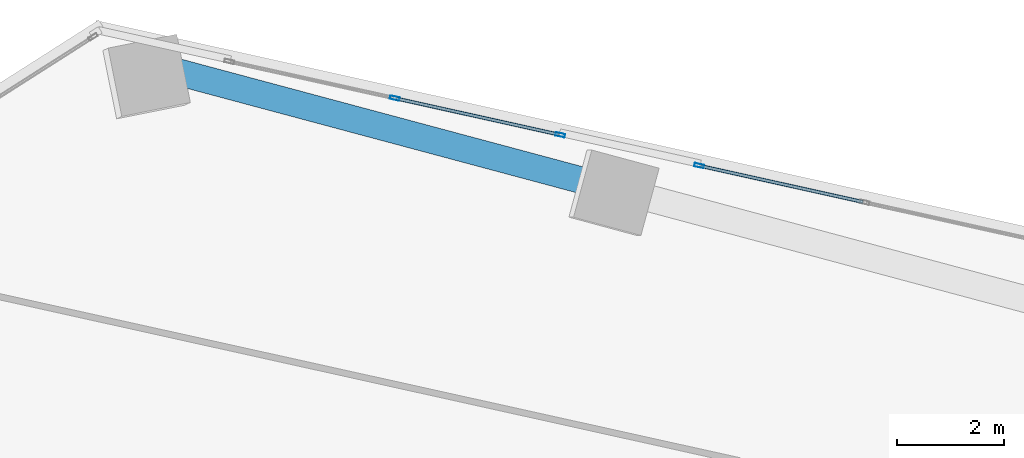
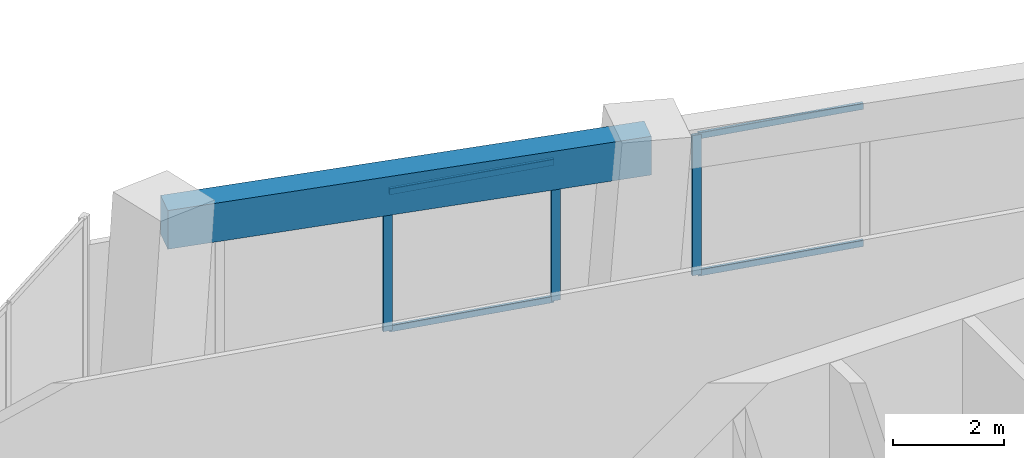
# One storey, part 17 of 26: 7 members, 1 beam, 2 elements without a shape of their own.
"""IFC4 building model written with IfcOpenShell, lengths in metres."""

from ifc_helpers import new_model, si_unit, direction, frame, origin, origin_2d, place, context, subcontext, project, spatial, rectangle, hollow_rectangle, extrude, source, transform, mapped, material, material_profile, profile_set, type_object, element, aggregate, save


model = new_model("IFC4")

# Units and contexts
model_context = context("Model", 3, precision=1e-05, world=origin(), true_north=direction((0.0, 1.0)))
body_context = subcontext(model_context, "Body", "Model", "MODEL_VIEW")
ifc_project = project(units=[si_unit("LENGTHUNIT", "METRE"), si_unit("AREAUNIT", "SQUARE_METRE"), si_unit("VOLUMEUNIT", "CUBIC_METRE"), si_unit("PLANEANGLEUNIT", "RADIAN"), si_unit("MASSUNIT", "GRAM", prefix="KILO")], contexts=[model_context])

# Site, building, storey
site_placement = place(None, origin())
site = spatial("IfcSite", under=ifc_project, at=site_placement, CompositionType="ELEMENT")
building_placement = place(site_placement, origin())
building = spatial("IfcBuilding", under=site, at=building_placement, Name="Torre Montelarca", CompositionType="ELEMENT")
storey_placement = place(building_placement, frame((0.0, 0.0, 95.800048828125)))
storey = spatial("IfcBuildingStorey", under=building, at=storey_placement, Name="L21", CompositionType="ELEMENT", Elevation=95.800048828125)

# Beam
ifc_material_1 = material(Name="Concrete C55/67", Category="concrete")
ifc_material_profile_1 = material_profile(ifc_material_1, rectangle(XDim=0.5, YDim=0.85009765625, at=origin_2d()), Name="RCB500X850", Category="concrete")
ifc_profile_set_1 = profile_set([ifc_material_profile_1], Name="Concrete C55/67")
beam_type = type_object("IfcBeamType", Name="BM-SP-RC850-EXT", PredefinedType="SPANDREL", material=ifc_profile_set_1)
shared_shape_1 = source(origin(), body_context, "Body", "SweptSolid", [
    extrude(rectangle(XDim=0.5, YDim=0.85009765625, at=origin_2d()), origin(), (0.0, 0.0, 1.0), 9.0),
])
beam_placement = place(storey_placement, frame((13.346923828125, 49.868896484375, 3.534912109375), z_axis=(0.965926740751, -0.25881563226, 0.0), x_axis=(0.25881563226, 0.965926740751, 0.0)))
element("IfcBeam", 1, at=beam_placement, inside=storey, type_object=beam_type, Name="L21 Grid Girder X 9.0-18.0 at Y=47.1", PredefinedType="SPANDREL", context=body_context, shape_type="MappedRepresentation", body=[
    mapped(shared_shape_1, transform((0.0, 0.0, 0.0), scale=1.0)),
])

# Curtain wall, members
ifc_material_2 = material(Name="Insulated low-E laminated glass", Category="glass")
curtain_wall_type = type_object("IfcCurtainWallType", Name="CW-SYS-Z1", PredefinedType="USERDEFINED", material=ifc_material_2)
curtain_wall_1_placement = place(storey_placement, origin())
curtain_wall_1 = element("IfcCurtainWall", 2, at=curtain_wall_1_placement, inside=storey, type_object=curtain_wall_type, Name="L21 Curtain Wall Run CW-T3-L21-E08-B2", ObjectType="UNITISED GLAZING", PredefinedType="USERDEFINED")
ifc_material_3 = material(Name="Anodised aluminium AA 6063-T6", Category="aluminium")
ifc_material_profile_2 = material_profile(ifc_material_3, hollow_rectangle(XDim=0.06494140625, YDim=0.139892578125, WallThickness=0.00390625, InnerFilletRadius=0.00390625, OuterFilletRadius=0.008056640625, at=origin_2d()), Name="ALU65X140X4", Category="aluminium")
ifc_profile_set_2 = profile_set([ifc_material_profile_2], Name="Anodised aluminium AA 6063-T6")
member_type_1 = type_object("IfcMemberType", Name="CWT-ALU140", PredefinedType="USERDEFINED", material=ifc_profile_set_2)
shared_shape_2 = source(origin(), body_context, "Body", "SweptSolid", [
    extrude(hollow_rectangle(XDim=0.06494140625, YDim=0.139892578125, WallThickness=0.00390625, InnerFilletRadius=0.00390625, OuterFilletRadius=0.008056640625, at=origin_2d()), origin(), (0.0, 0.0, 1.0), 3.105224609375),
])
member_1_placement = place(storey_placement, frame((26.40771484375, 47.3720703125, 0.032470703125), z_axis=(-0.976292395472, 0.216455904384, 0.0), x_axis=(-0.216455904384, -0.976292395472, 0.0)))
member_1 = element("IfcMember", 3, at=member_1_placement, type_object=member_type_1, Name="CW transom 2.1", ObjectType="TRANSOM", PredefinedType="USERDEFINED", context=body_context, shape_type="MappedRepresentation", body=[
    mapped(shared_shape_2, transform((0.0, 0.0, 0.0), scale=1.0)),
])
member_2_placement = place(storey_placement, frame((26.40771484375, 47.3720703125, 3.04248046875), z_axis=(-0.976292395472, 0.216455904384, 0.0), x_axis=(-0.216455904384, -0.976292395472, 0.0)))
member_2 = element("IfcMember", 4, at=member_2_placement, type_object=member_type_1, Name="CW transom 2.2", ObjectType="TRANSOM", PredefinedType="USERDEFINED", context=body_context, shape_type="MappedRepresentation", body=[
    mapped(shared_shape_2, transform((0.0, 0.0, 0.0), scale=1.0)),
])

curtain_wall_2_placement = place(storey_placement, origin())
curtain_wall_2 = element("IfcCurtainWall", 5, at=curtain_wall_2_placement, inside=storey, type_object=curtain_wall_type, Name="L21 Curtain Wall Run CW-T3-L21-E08-B3", ObjectType="UNITISED GLAZING", PredefinedType="USERDEFINED")
shared_shape_3 = source(origin(), body_context, "Body", "SweptSolid", [
    extrude(hollow_rectangle(XDim=0.06494140625, YDim=0.139892578125, WallThickness=0.00390625, InnerFilletRadius=0.00390625, OuterFilletRadius=0.008056640625, at=origin_2d()), origin(), (0.0, 0.0, 1.0), 3.101806640625),
])
member_3_placement = place(storey_placement, frame((20.718017578125, 48.633544921875, 0.032470703125), z_axis=(-0.976294353822, 0.216447071349, 0.0), x_axis=(-0.216447071349, -0.976294353822, 0.0)))
member_3 = element("IfcMember", 6, at=member_3_placement, type_object=member_type_1, Name="CW transom 1.1", ObjectType="TRANSOM", PredefinedType="USERDEFINED", context=body_context, shape_type="MappedRepresentation", body=[
    mapped(shared_shape_3, transform((0.0, 0.0, 0.0), scale=1.0)),
])
member_4_placement = place(storey_placement, frame((20.718017578125, 48.633544921875, 3.04248046875), z_axis=(-0.976294353822, 0.216447071349, 0.0), x_axis=(-0.216447071349, -0.976294353822, 0.0)))
member_4 = element("IfcMember", 7, at=member_4_placement, type_object=member_type_1, Name="CW transom 1.2", ObjectType="TRANSOM", PredefinedType="USERDEFINED", context=body_context, shape_type="MappedRepresentation", body=[
    mapped(shared_shape_3, transform((0.0, 0.0, 0.0), scale=1.0)),
])

# Member
ifc_material_profile_3 = material_profile(ifc_material_3, hollow_rectangle(XDim=0.06494140625, YDim=0.179931640625, WallThickness=0.00390625, InnerFilletRadius=0.00390625, OuterFilletRadius=0.008056640625, at=origin_2d()), Name="ALU65X180X4", Category="aluminium")
ifc_profile_set_3 = profile_set([ifc_material_profile_3], Name="Anodised aluminium AA 6063-T6")
member_type_2 = type_object("IfcMemberType", Name="CWM-ALU180", PredefinedType="MULLION", material=ifc_profile_set_3)
shared_shape_4 = source(origin(), body_context, "Body", "SweptSolid", [
    extrude(hollow_rectangle(XDim=0.06494140625, YDim=0.179931640625, WallThickness=0.00390625, InnerFilletRadius=0.00390625, OuterFilletRadius=0.008056640625, at=origin_2d()), origin(), (0.0, 0.0, 1.0), 3.074951171875),
])
member_5_placement = place(storey_placement, frame((23.344482421875, 48.05126953125, 0.0), z_axis=(0.0, 0.0, 1.0), x_axis=(-0.216442754689, -0.976295310827, 0.0)))
member_5 = element("IfcMember", 8, at=member_5_placement, type_object=member_type_2, Name="CW mullion 3", PredefinedType="MULLION", context=body_context, shape_type="MappedRepresentation", body=[
    mapped(shared_shape_4, transform((0.0, 0.0, 0.0), scale=1.0)),
])

aggregate(curtain_wall_1, [member_5, member_1, member_2])

member_6_placement = place(storey_placement, frame((20.749755859375, 48.62646484375, 0.0), z_axis=(0.0, 0.0, 1.0), x_axis=(-0.216450553965, -0.97629358171, 0.0)))
member_6 = element("IfcMember", 9, at=member_6_placement, type_object=member_type_2, Name="CW mullion 1", PredefinedType="MULLION", context=body_context, shape_type="MappedRepresentation", body=[
    mapped(shared_shape_4, transform((0.0, 0.0, 0.0), scale=1.0)),
])

member_7_placement = place(storey_placement, frame((17.657958984375, 49.31201171875, 0.0), z_axis=(0.0, 0.0, 1.0), x_axis=(-0.216450553965, -0.97629358171, 0.0)))
member_7 = element("IfcMember", 10, at=member_7_placement, type_object=member_type_2, Name="CW mullion 2", PredefinedType="MULLION", context=body_context, shape_type="MappedRepresentation", body=[
    mapped(shared_shape_4, transform((0.0, 0.0, 0.0), scale=1.0)),
])

aggregate(curtain_wall_2, [member_6, member_7, member_3, member_4])

save(model, "model.ifc")
